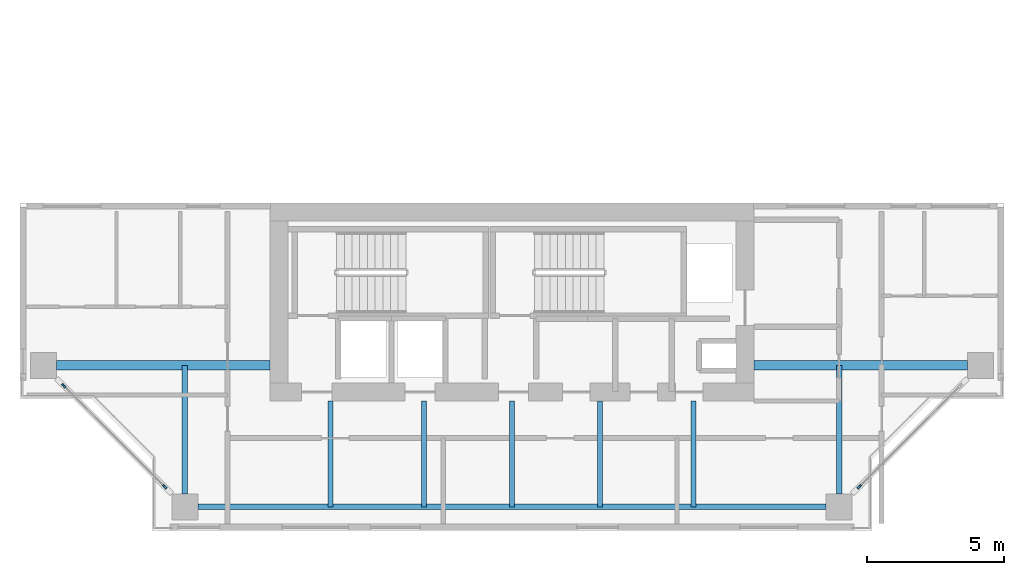
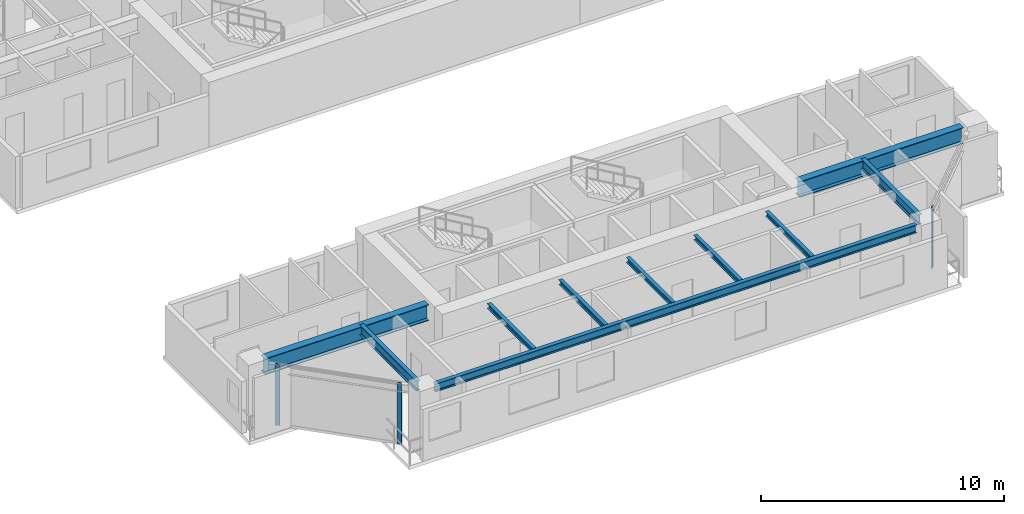
# One storey, part 2 of 12: 10 beams, 3 members, 2 elements without a shape of their own.
"""IFC4 building model written with IfcOpenShell, lengths in metres."""

from ifc_helpers import new_model, si_unit, direction, frame, origin, origin_2d, place, context, subcontext, project, spatial, rectangle, i_section, extrude, source, transform, mapped, material, layer, layer_set, material_profile, profile_set, type_object, element, aggregate, save


model = new_model("IFC4")

# Units and contexts
model_context = context("Model", 3, precision=1e-05, world=origin(), true_north=direction((0.0, 1.0)))
body_context = subcontext(model_context, "Body", "Model", "MODEL_VIEW")
ifc_project = project(units=[si_unit("LENGTHUNIT", "METRE"), si_unit("AREAUNIT", "SQUARE_METRE"), si_unit("VOLUMEUNIT", "CUBIC_METRE"), si_unit("PLANEANGLEUNIT", "RADIAN"), si_unit("MASSUNIT", "GRAM", prefix="KILO"), si_unit("THERMODYNAMICTEMPERATUREUNIT", "KELVIN"), si_unit("POWERUNIT", "WATT")], contexts=[model_context])

# Site, building, storey
site_placement = place(None, origin())
site = spatial("IfcSite", under=ifc_project, at=site_placement, CompositionType="ELEMENT")
building_placement = place(site_placement, origin())
building = spatial("IfcBuilding", under=site, at=building_placement, Name="Qiaomeng Ring Towers", CompositionType="ELEMENT")
storey_placement = place(building_placement, frame((0.0, 0.0, 160.0)))
storey = spatial("IfcBuildingStorey", under=building, at=storey_placement, Name="L46", CompositionType="ELEMENT", Elevation=160.0)

# Beams
ifc_material_1 = material(Name="Steel Q355B", Category="steel")
ifc_material_profile_1 = material_profile(ifc_material_1, i_section(OverallWidth=0.175048828125, OverallDepth=0.243896484375, WebThickness=0.007080078125, FlangeThickness=0.010986328125, FilletRadius=0.01611328125, at=origin_2d()), Name="HM 244x175x7x11")
ifc_profile_set_1 = profile_set([ifc_material_profile_1], Name="Steel Q355B")
beam_type_1 = type_object("IfcBeamType", Name="STR-BM-HM244", PredefinedType="JOIST", material=ifc_profile_set_1)
shared_shape_1 = source(origin(), body_context, "Body", "SweptSolid", [
    extrude(i_section(OverallWidth=0.175048828125, OverallDepth=0.243896484375, WebThickness=0.007080078125, FlangeThickness=0.010986328125, FilletRadius=0.01611328125, at=origin_2d()), origin(), (0.0, 0.0, 1.0), 3.85009765625),
])
for number, where, z_axis, x_axis, name in (
    (1, (12.39990234375, 5.949951171875, 2.947998046875), (0.0, 1.0, 0.0), (-1.0, 0.0, 0.0), "L46 beam STR-JST-L46-T1S-1"),
    (2, (15.800048828125, 5.949951171875, 2.947998046875), (0.0, 1.0, 0.0), (-1.0, 0.0, 0.0), "L46 beam STR-JST-L46-T1S-2"),
    (3, (19.0, 5.949951171875, 2.947998046875), (0.0, 1.0, 0.0), (-1.0, 0.0, 0.0), "L46 beam STR-JST-L46-T1S-3"),
    (4, (22.199951171875, 5.949951171875, 2.947998046875), (0.0, 1.0, 0.0), (-1.0, 0.0, 0.0), "L46 beam STR-JST-L46-T1S-4"),
    (5, (25.60009765625, 5.949951171875, 2.947998046875), (0.0, 1.0, 0.0), (-1.0, 0.0, 0.0), "L46 beam STR-JST-L46-T1S-5"),
):
    element("IfcBeam", number, at=place(storey_placement, frame(where, z_axis=z_axis, x_axis=x_axis)), inside=storey, type_object=beam_type_1, Name=name, PredefinedType="JOIST", context=body_context, shape_type="MappedRepresentation", body=[
        mapped(shared_shape_1, transform((0.0, 0.0, 0.0), x_axis=(1.0, 0.0, 0.0), y_axis=(0.0, 1.0, 0.0), z_axis=(0.0, 0.0, 1.0), scale=1.0)),
    ])
ifc_material_profile_2 = material_profile(ifc_material_1, i_section(OverallWidth=0.199951171875, OverallDepth=0.39990234375, WebThickness=0.008056640625, FlangeThickness=0.012939453125, FilletRadius=0.01611328125, at=origin_2d()), Name="HN 400x200x8x13")
ifc_profile_set_2 = profile_set([ifc_material_profile_2], Name="Steel Q355B")
beam_type_2 = type_object("IfcBeamType", Name="STR-BM-HN400", PredefinedType="SPANDREL", material=ifc_profile_set_2)
shared_shape_2 = source(origin(), body_context, "Body", "SweptSolid", [
    extrude(i_section(OverallWidth=0.199951171875, OverallDepth=0.39990234375, WebThickness=0.008056640625, FlangeThickness=0.012939453125, FilletRadius=0.01611328125, at=origin_2d()), origin(), (0.0, 0.0, 1.0), 22.85205078125),
])
beam_placement = place(storey_placement, frame((7.573974609375, 5.949951171875, 2.8701171875), z_axis=(1.0, 0.0, 0.0), x_axis=(0.0, 1.0, 0.0)))
element("IfcBeam", 6, at=beam_placement, inside=storey, type_object=beam_type_2, Name="L46 beam STR-SP-L46-T1-S1-S2", PredefinedType="SPANDREL", context=body_context, shape_type="MappedRepresentation", body=[
    mapped(shared_shape_2, transform((0.0, 0.0, 0.0), x_axis=(1.0, 0.0, 0.0), y_axis=(0.0, 1.0, 0.0), z_axis=(0.0, 0.0, 1.0), scale=1.0)),
])
ifc_material_2 = material(Name="Steel Q390GJC", Category="steel")
ifc_material_profile_3 = material_profile(ifc_material_2, i_section(OverallWidth=0.35009765625, OverallDepth=0.800048828125, WebThickness=0.01611328125, FlangeThickness=0.028076171875, at=origin_2d()), Name="WH 800x350x16x28")
ifc_profile_set_3 = profile_set([ifc_material_profile_3], Name="Steel Q390GJC")
beam_type_3 = type_object("IfcBeamType", Name="STR-BM-WH800", PredefinedType="BEAM", material=ifc_profile_set_3)
shared_shape_3 = source(origin(), body_context, "Body", "SweptSolid", [
    extrude(i_section(OverallWidth=0.35009765625, OverallDepth=0.800048828125, WebThickness=0.01611328125, FlangeThickness=0.028076171875, at=origin_2d()), origin(), (0.0, 0.0, 1.0), 7.77587890625),
])
for number, where, z_axis, x_axis, name in (
    (7, (2.424072265625, 11.10009765625, 2.669921875), (1.0, 0.0, 0.0), (0.0, 1.0, 0.0), "L46 beam STR-BM-L46-T1-RAD-W1"),
    (8, (27.800048828125, 11.10009765625, 2.669921875), (1.0, 0.0, 0.0), (0.0, 1.0, 0.0), "L46 beam STR-BM-L46-T1-RAD-E1"),
):
    element("IfcBeam", number, at=place(storey_placement, frame(where, z_axis=z_axis, x_axis=x_axis)), inside=storey, type_object=beam_type_3, Name=name, PredefinedType="BEAM", context=body_context, shape_type="MappedRepresentation", body=[
        mapped(shared_shape_3, transform((0.0, 0.0, 0.0), x_axis=(1.0, 0.0, 0.0), y_axis=(0.0, 1.0, 0.0), z_axis=(0.0, 0.0, 1.0), scale=1.0)),
    ])
ifc_material_profile_4 = material_profile(ifc_material_1, i_section(OverallWidth=0.199951171875, OverallDepth=0.5, WebThickness=0.010009765625, FlangeThickness=0.01611328125, FilletRadius=0.02001953125, at=origin_2d()), Name="HN 500x200x10x16")
ifc_profile_set_4 = profile_set([ifc_material_profile_4], Name="Steel Q355B")
beam_type_4 = type_object("IfcBeamType", Name="STR-BM-HN500", PredefinedType="BEAM", material=ifc_profile_set_4)
shared_shape_4 = source(origin(), body_context, "Body", "SweptSolid", [
    extrude(i_section(OverallWidth=0.199951171875, OverallDepth=0.5, WebThickness=0.010009765625, FlangeThickness=0.01611328125, FilletRadius=0.02001953125, at=origin_2d()), origin(), (0.0, 0.0, 1.0), 4.676025390625),
])
for number, where, z_axis, x_axis, name in (
    (9, (7.10009765625, 6.424072265625, 2.820068359375), (0.0, 1.0, 0.0), (-1.0, 0.0, 0.0), "L46 beam STR-BM-L46-T1-RAD-S1"),
    (10, (30.89990234375, 6.424072265625, 2.820068359375), (0.0, 1.0, 0.0), (-1.0, 0.0, 0.0), "L46 beam STR-BM-L46-T1-RAD-S2"),
):
    element("IfcBeam", number, at=place(storey_placement, frame(where, z_axis=z_axis, x_axis=x_axis)), inside=storey, type_object=beam_type_4, Name=name, PredefinedType="BEAM", context=body_context, shape_type="MappedRepresentation", body=[
        mapped(shared_shape_4, transform((0.0, 0.0, 0.0), x_axis=(1.0, 0.0, 0.0), y_axis=(0.0, 1.0, 0.0), z_axis=(0.0, 0.0, 1.0), scale=1.0)),
    ])

# Curtain wall, member
ifc_material_3 = material(Name="Fluorocarbon dark-grey aluminium", Category="aluminium")
ifc_layer = layer(ifc_material_3, 0.14990234375, Name="Fluorocarbon dark-grey aluminium")
ifc_layer_set = layer_set([ifc_layer], Name="Fluorocarbon dark-grey aluminium")
curtain_wall_type = type_object("IfcCurtainWallType", Name="ARC-CW-3", PredefinedType="NOTDEFINED", material=ifc_layer_set)
curtain_wall_1_placement = place(storey_placement, origin())
curtain_wall_1 = element("IfcCurtainWall", 11, at=curtain_wall_1_placement, inside=storey, type_object=curtain_wall_type, Name="L46 Curtain Wall CW3", PredefinedType="NOTDEFINED")
ifc_material_profile_5 = material_profile(ifc_material_3, rectangle(XDim=0.070068359375, YDim=0.179931640625, at=origin_2d()), Name="ALU MULL 70x180")
ifc_profile_set_5 = profile_set([ifc_material_profile_5], Name="Fluorocarbon dark-grey aluminium")
member_type = type_object("IfcMemberType", Name="ARC-CWM-160", PredefinedType="MULLION", material=ifc_profile_set_5)
shared_shape_5 = source(origin(), body_context, "Body", "SweptSolid", [
    extrude(rectangle(XDim=0.070068359375, YDim=0.179931640625, at=origin_2d()), origin(), (0.0, 0.0, 1.0), 3.070068359375),
])
member_1_placement = place(storey_placement, frame((31.6396484375, 6.689697265625, 0.0), z_axis=(0.0, 0.0, 1.0), x_axis=(-0.707106781187, 0.707106781187, 0.0)))
member_1 = element("IfcMember", 12, at=member_1_placement, type_object=member_type, Name="CW3 mullion 1", PredefinedType="MULLION", context=body_context, shape_type="MappedRepresentation", body=[
    mapped(shared_shape_5, transform((0.0, 0.0, 0.0), x_axis=(1.0, 0.0, 0.0), y_axis=(0.0, 1.0, 0.0), z_axis=(0.0, 0.0, 1.0), scale=1.0)),
])
aggregate(curtain_wall_1, [member_1])

# Curtain wall, members
curtain_wall_2_placement = place(storey_placement, origin())
curtain_wall_2 = element("IfcCurtainWall", 13, at=curtain_wall_2_placement, inside=storey, type_object=curtain_wall_type, Name="L46 Curtain Wall CW3", PredefinedType="NOTDEFINED")
member_2_placement = place(storey_placement, frame((2.689697265625, 10.3603515625, 0.0), z_axis=(0.0, 0.0, 1.0), x_axis=(0.707106781187, 0.707106781187, 0.0)))
member_2 = element("IfcMember", 14, at=member_2_placement, type_object=member_type, Name="CW3 mullion 1", PredefinedType="MULLION", context=body_context, shape_type="MappedRepresentation", body=[
    mapped(shared_shape_5, transform((0.0, 0.0, 0.0), x_axis=(1.0, 0.0, 0.0), y_axis=(0.0, 1.0, 0.0), z_axis=(0.0, 0.0, 1.0), scale=1.0)),
])
member_3_placement = place(storey_placement, frame((6.3603515625, 6.689697265625, 0.0), z_axis=(0.0, 0.0, 1.0), x_axis=(0.707106781187, 0.707106781187, 0.0)))
member_3 = element("IfcMember", 15, at=member_3_placement, type_object=member_type, Name="CW3 mullion 2", PredefinedType="MULLION", context=body_context, shape_type="MappedRepresentation", body=[
    mapped(shared_shape_5, transform((0.0, 0.0, 0.0), x_axis=(1.0, 0.0, 0.0), y_axis=(0.0, 1.0, 0.0), z_axis=(0.0, 0.0, 1.0), scale=1.0)),
])
aggregate(curtain_wall_2, [member_2, member_3])

save(model, "model.ifc")
